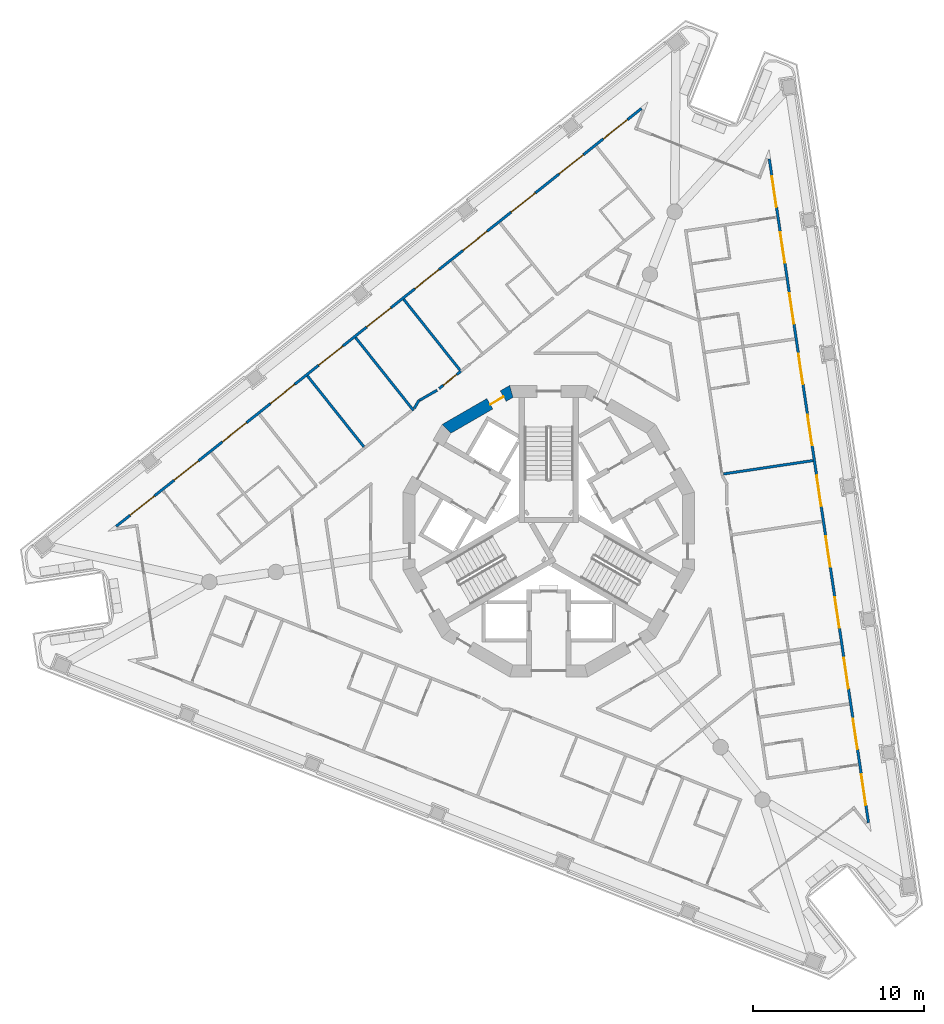
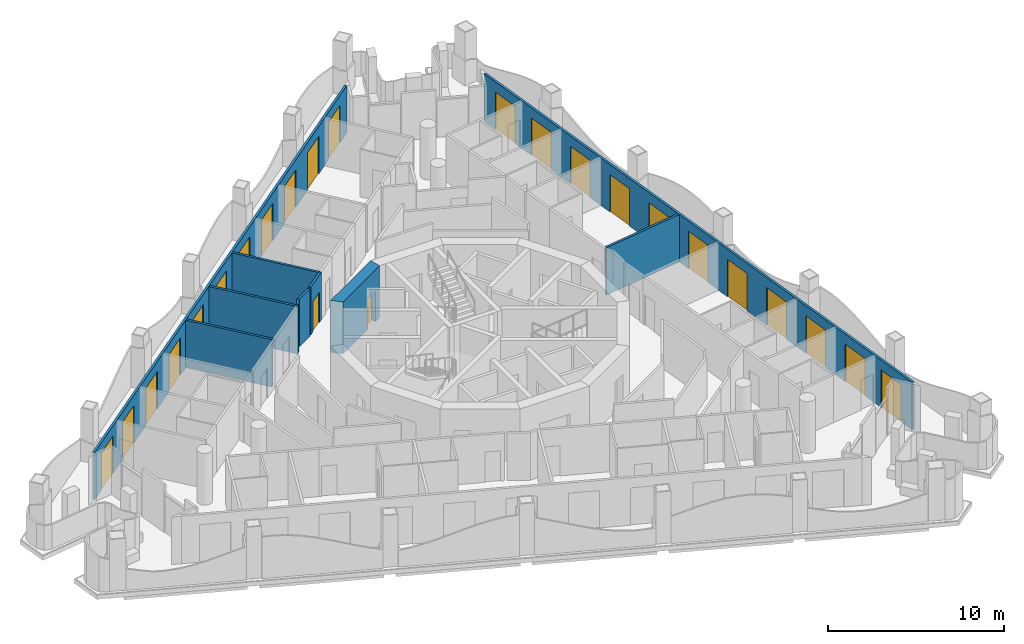
# One storey, part 7 of 16: 24 doors, 10 walls, 24 openings.
"""IFC4 building model written with IfcOpenShell, lengths in metres."""

import ifcopenshell
import ifcopenshell.guid

model = None  # the IFC model being written
_history = None  # IfcOwnerHistory: only IFC2X3 demands one
_inside = {}  # id of a spatial element -> (the spatial element, [elements in it])
_under = {}  # id of a project, library or spatial element -> (it, [spatial elements below it])
_declared = {}  # id of a project -> (the project, [libraries it declares])
_typed = {}  # id of a type object -> (the type object, [elements of that type])
_made_of = {}  # id of a material, layer set ... -> (it, [elements and type objects made of it])


def new_model(schema):
    """Start an empty IFC model of exactly this schema.

    Asked for "IFC4X3", IfcOpenShell would pick the latest addendum, in which some entities
    have other attributes; the version numbers below select the first issue.
    IFC2X3 requires an IfcOwnerHistory on every rooted entity: one is made here for all.
    """
    global model, _history
    if schema == "IFC4X3":
        model = ifcopenshell.file(schema_version=(4, 3, 0, 0))
    else:
        model = ifcopenshell.file(schema=schema)
    _inside.clear()
    _under.clear()
    _declared.clear()
    _typed.clear()
    _made_of.clear()
    _history = None
    if model.schema == "IFC2X3":
        org = make("IfcOrganization", Name="unknown")
        user = make(
            "IfcPersonAndOrganization",
            ThePerson=make("IfcPerson", FamilyName="unknown"),
            TheOrganization=org,
        )
        app = make(
            "IfcApplication",
            ApplicationDeveloper=org,
            Version="unknown",
            ApplicationFullName="unknown",
            ApplicationIdentifier="unknown",
        )
        _history = make(
            "IfcOwnerHistory",
            OwningUser=user,
            OwningApplication=app,
            ChangeAction="ADDED",
            CreationDate=0,
        )
    return model


def make(cls, **values):
    """One entity of the class cls with the attributes given. An attribute that is None is left unset."""
    return model.create_entity(
        cls, **{name: value for name, value in values.items() if value is not None}
    )


def rooted(cls, **values):
    """An entity with a GlobalId (a new one), such as an element, a storey or a relation."""
    return make(cls, GlobalId=ifcopenshell.guid.new(), OwnerHistory=_history, **values)


def si_unit(unit_type, name, prefix=None):
    """IfcSIUnit, for example si_unit("LENGTHUNIT", "METRE", prefix="MILLI")."""
    return make("IfcSIUnit", UnitType=unit_type, Prefix=prefix, Name=name)


def assignment(units):
    """IfcUnitAssignment: the units of a project."""
    return None if units is None else make("IfcUnitAssignment", Units=units)


def point(xyz):
    """IfcCartesianPoint."""
    return None if xyz is None else make("IfcCartesianPoint", Coordinates=xyz)


def direction(xyz):
    """IfcDirection."""
    return None if xyz is None else make("IfcDirection", DirectionRatios=xyz)


def frame(location, z_axis=None, x_axis=None):
    """IfcAxis2Placement3D, a coordinate frame: its origin and axes. An axis left out is left unset."""
    return make(
        "IfcAxis2Placement3D",
        Location=point(location),
        Axis=direction(z_axis),
        RefDirection=direction(x_axis),
    )


def frame_2d(location, x_axis=None):
    """IfcAxis2Placement2D, a coordinate frame in the plane: its origin and x axis."""
    return make(
        "IfcAxis2Placement2D", Location=point(location), RefDirection=direction(x_axis)
    )


def origin():
    """The frame at (0, 0, 0) with its axes left unset."""
    return frame((0.0, 0.0, 0.0))


def place(relative_to, where):
    """IfcLocalPlacement: puts the frame where relative to a parent placement (None: the world)."""
    return make(
        "IfcLocalPlacement", PlacementRelTo=relative_to, RelativePlacement=where
    )


def context(
    kind, dimensions, precision=None, world=None, true_north=None, identifier=None
):
    """IfcGeometricRepresentationContext, for example the 3D "Model" context."""
    return make(
        "IfcGeometricRepresentationContext",
        ContextIdentifier=identifier,
        ContextType=kind,
        CoordinateSpaceDimension=dimensions,
        Precision=precision,
        WorldCoordinateSystem=world,
        TrueNorth=true_north,
    )


def subcontext(parent, identifier, kind, view, scale=None):
    """IfcGeometricRepresentationSubContext, for example "Body" below "Model"."""
    return make(
        "IfcGeometricRepresentationSubContext",
        ContextIdentifier=identifier,
        ContextType=kind,
        ParentContext=parent,
        TargetScale=scale,
        TargetView=view,
    )


def project(units=None, contexts=None):
    """IfcProject with its units and contexts."""
    return rooted(
        "IfcProject",
        Name="project",
        RepresentationContexts=contexts,
        UnitsInContext=assignment(units),
    )


def spatial(cls, under=None, at=None, **own):
    """A site, building, storey or space (cls), placed at a placement, below another one or the project."""
    s = rooted(cls, ObjectPlacement=at, **own)
    if under is not None:
        _under.setdefault(under.id(), (under, []))[1].append(s)
    return s


def polyline(points):
    """IfcPolyline through the points."""
    return make("IfcPolyline", Points=[point(p) for p in points])


def profile(cls, at=None, kind="AREA", **sizes):
    """A parametric profile (cls). Its sizes go by their IFC names, for example OverallWidth=200.0."""
    return make(cls, ProfileType=kind, Position=at, **sizes)


def rectangle(**sizes):
    """IfcRectangleProfileDef."""
    return profile("IfcRectangleProfileDef", **sizes)


def outline(outer, holes=None, kind="AREA"):
    """IfcArbitraryClosedProfileDef: a profile drawn as a closed curve; with holes, ...WithVoids."""
    if holes is None:
        return make("IfcArbitraryClosedProfileDef", ProfileType=kind, OuterCurve=outer)
    return make(
        "IfcArbitraryProfileDefWithVoids",
        ProfileType=kind,
        OuterCurve=outer,
        InnerCurves=holes,
    )


def extrude(swept, where, along, depth):
    """IfcExtrudedAreaSolid: the profile swept, set in the frame where, extruded along a direction by depth."""
    return make(
        "IfcExtrudedAreaSolid",
        SweptArea=swept,
        Position=where,
        ExtrudedDirection=direction(along),
        Depth=depth,
    )


def shape(context_of_items, identifier, shape_type, items):
    """IfcShapeRepresentation: the items that make up one representation, for example the "Body"."""
    return make(
        "IfcShapeRepresentation",
        ContextOfItems=context_of_items,
        RepresentationIdentifier=identifier,
        RepresentationType=shape_type,
        Items=items,
    )


def material(Name=None, Category=None):
    """IfcMaterial."""
    return make("IfcMaterial", Name=Name, Category=Category)


def layer(
    of_material, thickness, ventilated=None, Name=None, Category=None, Priority=None
):
    """IfcMaterialLayer: one layer of a wall or slab, of a material (None: an air gap)."""
    return make(
        "IfcMaterialLayer",
        Material=of_material,
        LayerThickness=thickness,
        IsVentilated=ventilated,
        Name=Name,
        Category=Category,
        Priority=Priority,
    )


def layer_set(layers, Name=None):
    """IfcMaterialLayerSet."""
    return make("IfcMaterialLayerSet", MaterialLayers=layers, LayerSetName=Name)


def made_of(thing, what):
    """Note that an element or type object is made of a material, layer set ...; save() writes the relation."""
    if what is not None:
        _made_of.setdefault(what.id(), (what, []))[1].append(thing)
    return thing


def type_object(cls, material=None, **own):
    """A type object (cls), such as IfcWallType, which elements share."""
    return made_of(rooted(cls, **own), material)


def element(
    cls,
    number,
    at=None,
    inside=None,
    cuts=None,
    type_object=None,
    material=None,
    context=None,
    identifier="Body",
    shape_type=None,
    held_by="IfcProductDefinitionShape",
    body=None,
    shapes=None,
    **own,
):
    """One element of the class cls, such as IfcWall. Its Tag is "e" and its number.

    at: its placement. inside: the storey or other place that contains it. cuts: it is an
    opening in that element (IfcRelVoidsElement). A single representation is given by context,
    identifier, shape_type and body (its items); several are given by shapes. held_by: the class
    of the entity that holds the representations. save() writes the other relations.
    """
    e = rooted(cls, Tag="e%d" % number, ObjectPlacement=at, **own)
    if body is not None:
        shapes = [shape(context, identifier, shape_type, body)]
    if shapes is not None:
        e.Representation = make(held_by, Representations=shapes)
    if inside is not None:
        _inside.setdefault(inside.id(), (inside, []))[1].append(e)
    if cuts is not None:
        rooted(
            "IfcRelVoidsElement", RelatingBuildingElement=cuts, RelatedOpeningElement=e
        )
    if type_object is not None:
        _typed.setdefault(type_object.id(), (type_object, []))[1].append(e)
    return made_of(e, material)


def fill(opening, filler):
    """IfcRelFillsElement: the door or window that sits in an opening."""
    return rooted(
        "IfcRelFillsElement",
        RelatingOpeningElement=opening,
        RelatedBuildingElement=filler,
    )


def aggregate(whole, parts):
    """IfcRelAggregates: a whole, such as a stair, and the parts it consists of."""
    return rooted("IfcRelAggregates", RelatingObject=whole, RelatedObjects=parts)


def save(model, path):
    """Write the relations noted so far, then the file.

    IfcRelAggregates (storeys below a building ...), IfcRelContainedInSpatialStructure (elements
    in a storey), IfcRelDefinesByType, IfcRelAssociatesMaterial and IfcRelDeclares: one each for
    every whole, place, type object, material and project.
    """
    for whole, parts in _under.values():
        aggregate(whole, parts)
    for where, things in _inside.values():
        rooted(
            "IfcRelContainedInSpatialStructure",
            RelatedElements=things,
            RelatingStructure=where,
        )
    for kind, things in _typed.values():
        rooted("IfcRelDefinesByType", RelatedObjects=things, RelatingType=kind)
    for what, things in _made_of.values():
        rooted("IfcRelAssociatesMaterial", RelatedObjects=things, RelatingMaterial=what)
    for by, libraries in _declared.values():
        rooted("IfcRelDeclares", RelatingContext=by, RelatedDefinitions=libraries)
    model.write(path)


model = new_model("IFC4")

# Units and contexts
model_context = context("Model", 3, precision=1e-05, world=origin(), true_north=direction((0.0, 1.0)))
body_context = subcontext(model_context, "Body", "Model", "MODEL_VIEW")
ifc_project = project(units=[si_unit("LENGTHUNIT", "METRE"), si_unit("AREAUNIT", "SQUARE_METRE"), si_unit("VOLUMEUNIT", "CUBIC_METRE"), si_unit("PLANEANGLEUNIT", "RADIAN"), si_unit("MASSUNIT", "GRAM", prefix="KILO")], contexts=[model_context])

# Site, building, storey
site_placement = place(None, origin())
site = spatial("IfcSite", under=ifc_project, at=site_placement, CompositionType="ELEMENT")
building_placement = place(site_placement, origin())
building = spatial("IfcBuilding", under=site, at=building_placement, Name="Trine Commons Tower", CompositionType="ELEMENT")
storey_placement = place(building_placement, frame((0.0, 0.0, 201.60009765625)))
storey = spatial("IfcBuildingStorey", under=building, at=storey_placement, Name="L52", CompositionType="ELEMENT", Elevation=201.60009765625)

# Wall, openings, doors
ifc_material_1 = material(Name="Aluminium-framed insulated wall panel", Category="aluminium")
ifc_layer_1 = layer(ifc_material_1, 0.14990234375)
ifc_layer_set_1 = layer_set([ifc_layer_1], Name="Aluminium-framed insulated wall panel")
wall_type_1 = type_object("IfcWallType", Name="Glazed frame wall 150, EI 60", PredefinedType="SOLIDWALL", material=ifc_layer_set_1)
wall_1_placement = place(storey_placement, frame((54.650634765625, 62.685546875, 0.0), z_axis=(0.0, 0.0, 1.0), x_axis=(0.782609620341, 0.622512796776, 0.0)))
wall_1 = element("IfcWall", 1, at=wall_1_placement, inside=storey, type_object=wall_type_1, Name="Glazed frame wall F1", PredefinedType="SOLIDWALL", context=body_context, shape_type="SweptSolid", body=[
    extrude(outline(polyline([(0.1494140625, 0.074951171875), (0.1494140625, -0.074951171875), (39.296875, -0.074951171875), (39.296875, 0.074951171875), (0.1494140625, 0.074951171875)])), origin(), (0.0, 0.0, 1.0), 3.2998046875),
])
opening_1_placement = place(wall_1_placement, frame((1.193115234375, 0.0, 0.0)))
opening_1 = element("IfcOpeningElement", 2, at=opening_1_placement, cuts=wall_1, Name="Opening BD-6F1-01", PredefinedType="OPENING", context=body_context, shape_type="SweptSolid", body=[
    extrude(rectangle(XDim=1.800048828125, YDim=2.60009765625, at=frame_2d((0.89990234375, 1.300048828125))), frame((0.0, 0.0849609375, 0.0), z_axis=(0.0, -1.0, 0.0), x_axis=(1.0, 0.0, 0.0)), (0.0, 0.0, 1.0), 0.169921875),
])
opening_2_placement = place(wall_1_placement, frame((4.47900390625, 0.0, 0.0)))
opening_2 = element("IfcOpeningElement", 3, at=opening_2_placement, cuts=wall_1, Name="Opening BD-6F1-02", PredefinedType="OPENING", context=body_context, shape_type="SweptSolid", body=[
    extrude(rectangle(XDim=1.800048828125, YDim=2.60009765625, at=frame_2d((0.89990234375, 1.300048828125))), frame((0.0, 0.0849609375, 0.0), z_axis=(0.0, -1.0, 0.0), x_axis=(1.0, 0.0, 0.0)), (0.0, 0.0, 1.0), 0.169921875),
])
opening_3_placement = place(wall_1_placement, frame((8.06494140625, 0.0, 0.0)))
opening_3 = element("IfcOpeningElement", 4, at=opening_3_placement, cuts=wall_1, Name="Opening BD-6F1-03", PredefinedType="OPENING", context=body_context, shape_type="SweptSolid", body=[
    extrude(rectangle(XDim=1.800048828125, YDim=2.60009765625, at=frame_2d((0.89990234375, 1.300048828125))), frame((0.0, 0.0849609375, 0.0), z_axis=(0.0, -1.0, 0.0), x_axis=(1.0, 0.0, 0.0)), (0.0, 0.0, 1.0), 0.169921875),
])
opening_4_placement = place(wall_1_placement, frame((11.65087890625, 0.0, 0.0)))
opening_4 = element("IfcOpeningElement", 5, at=opening_4_placement, cuts=wall_1, Name="Opening BD-6F1-04", PredefinedType="OPENING", context=body_context, shape_type="SweptSolid", body=[
    extrude(rectangle(XDim=1.800048828125, YDim=2.60009765625, at=frame_2d((0.89990234375, 1.300048828125))), frame((0.0, 0.0849609375, 0.0), z_axis=(0.0, -1.0, 0.0), x_axis=(1.0, 0.0, 0.0)), (0.0, 0.0, 1.0), 0.169921875),
])
opening_5_placement = place(wall_1_placement, frame((15.237060546875, 0.0, 0.0)))
opening_5 = element("IfcOpeningElement", 6, at=opening_5_placement, cuts=wall_1, Name="Opening BD-6F1-05", PredefinedType="OPENING", context=body_context, shape_type="SweptSolid", body=[
    extrude(rectangle(XDim=1.800048828125, YDim=2.60009765625, at=frame_2d((0.89990234375, 1.300048828125))), frame((0.0, 0.0849609375, 0.0), z_axis=(0.0, -1.0, 0.0), x_axis=(1.0, 0.0, 0.0)), (0.0, 0.0, 1.0), 0.169921875),
])
opening_6_placement = place(wall_1_placement, frame((18.822998046875, 0.0, 0.0)))
opening_6 = element("IfcOpeningElement", 7, at=opening_6_placement, cuts=wall_1, Name="Opening BD-6F1-06", PredefinedType="OPENING", context=body_context, shape_type="SweptSolid", body=[
    extrude(rectangle(XDim=1.800048828125, YDim=2.60009765625, at=frame_2d((0.89990234375, 1.300048828125))), frame((0.0, 0.0849609375, 0.0), z_axis=(0.0, -1.0, 0.0), x_axis=(1.0, 0.0, 0.0)), (0.0, 0.0, 1.0), 0.169921875),
])
opening_7_placement = place(wall_1_placement, frame((22.408935546875, 0.0, 0.0)))
opening_7 = element("IfcOpeningElement", 8, at=opening_7_placement, cuts=wall_1, Name="Opening BD-6F1-07", PredefinedType="OPENING", context=body_context, shape_type="SweptSolid", body=[
    extrude(rectangle(XDim=1.800048828125, YDim=2.60009765625, at=frame_2d((0.89990234375, 1.300048828125))), frame((0.0, 0.0849609375, 0.0), z_axis=(0.0, -1.0, 0.0), x_axis=(1.0, 0.0, 0.0)), (0.0, 0.0, 1.0), 0.169921875),
])
opening_8_placement = place(wall_1_placement, frame((25.9951171875, 0.0, 0.0)))
opening_8 = element("IfcOpeningElement", 9, at=opening_8_placement, cuts=wall_1, Name="Opening BD-6F1-08", PredefinedType="OPENING", context=body_context, shape_type="SweptSolid", body=[
    extrude(rectangle(XDim=1.800048828125, YDim=2.60009765625, at=frame_2d((0.89990234375, 1.300048828125))), frame((0.0, 0.0849609375, 0.0), z_axis=(0.0, -1.0, 0.0), x_axis=(1.0, 0.0, 0.0)), (0.0, 0.0, 1.0), 0.169921875),
])
opening_9_placement = place(wall_1_placement, frame((29.5810546875, 0.0, 0.0)))
opening_9 = element("IfcOpeningElement", 10, at=opening_9_placement, cuts=wall_1, Name="Opening BD-6F1-09", PredefinedType="OPENING", context=body_context, shape_type="SweptSolid", body=[
    extrude(rectangle(XDim=1.800048828125, YDim=2.60009765625, at=frame_2d((0.89990234375, 1.300048828125))), frame((0.0, 0.0849609375, 0.0), z_axis=(0.0, -1.0, 0.0), x_axis=(1.0, 0.0, 0.0)), (0.0, 0.0, 1.0), 0.169921875),
])
opening_10_placement = place(wall_1_placement, frame((33.1669921875, 0.0, 0.0)))
opening_10 = element("IfcOpeningElement", 11, at=opening_10_placement, cuts=wall_1, Name="Opening BD-6F1-10", PredefinedType="OPENING", context=body_context, shape_type="SweptSolid", body=[
    extrude(rectangle(XDim=1.800048828125, YDim=2.60009765625, at=frame_2d((0.89990234375, 1.300048828125))), frame((0.0, 0.0849609375, 0.0), z_axis=(0.0, -1.0, 0.0), x_axis=(1.0, 0.0, 0.0)), (0.0, 0.0, 1.0), 0.169921875),
])
opening_11_placement = place(wall_1_placement, frame((36.452880859375, 0.0, 0.0)))
opening_11 = element("IfcOpeningElement", 12, at=opening_11_placement, cuts=wall_1, Name="Opening BD-6F1-11", PredefinedType="OPENING", context=body_context, shape_type="SweptSolid", body=[
    extrude(rectangle(XDim=1.800048828125, YDim=2.60009765625, at=frame_2d((0.89990234375, 1.300048828125))), frame((0.0, 0.0849609375, 0.0), z_axis=(0.0, -1.0, 0.0), x_axis=(1.0, 0.0, 0.0)), (0.0, 0.0, 1.0), 0.169921875),
])
ifc_material_2 = material(Name="Anodised aluminium frame with double glazing", Category="aluminium")
door_type_1 = type_object("IfcDoorType", Name="Sliding loggia door 1800x2600", OperationType="SLIDING_TO_LEFT", PredefinedType="DOOR", material=ifc_material_2)
door_1_placement = place(opening_1_placement, origin())
door_1 = element("IfcDoor", 13, at=door_1_placement, inside=storey, type_object=door_type_1, Name="Loggia door F1 1", OperationType="SLIDING_TO_LEFT", OverallHeight=2.60009765625, OverallWidth=1.800048828125, PredefinedType="DOOR", context=body_context, shape_type="SweptSolid", body=[
    extrude(rectangle(XDim=1.800048828125, YDim=2.60009765625, at=frame_2d((0.89990234375, 1.300048828125))), frame((0.0, 0.02490234375, 0.0), z_axis=(0.0, -1.0, 0.0), x_axis=(1.0, 0.0, 0.0)), (0.0, 0.0, 1.0), 0.050048828125),
])
fill(opening_1, door_1)
door_2_placement = place(opening_2_placement, origin())
door_2 = element("IfcDoor", 14, at=door_2_placement, inside=storey, type_object=door_type_1, Name="Loggia door F1 2", OperationType="SLIDING_TO_LEFT", OverallHeight=2.60009765625, OverallWidth=1.800048828125, PredefinedType="DOOR", context=body_context, shape_type="SweptSolid", body=[
    extrude(rectangle(XDim=1.800048828125, YDim=2.60009765625, at=frame_2d((0.89990234375, 1.300048828125))), frame((0.0, 0.02490234375, 0.0), z_axis=(0.0, -1.0, 0.0), x_axis=(1.0, 0.0, 0.0)), (0.0, 0.0, 1.0), 0.050048828125),
])
fill(opening_2, door_2)
door_3_placement = place(opening_3_placement, origin())
door_3 = element("IfcDoor", 15, at=door_3_placement, inside=storey, type_object=door_type_1, Name="Loggia door F1 3", OperationType="SLIDING_TO_LEFT", OverallHeight=2.60009765625, OverallWidth=1.800048828125, PredefinedType="DOOR", context=body_context, shape_type="SweptSolid", body=[
    extrude(rectangle(XDim=1.800048828125, YDim=2.60009765625, at=frame_2d((0.89990234375, 1.300048828125))), frame((0.0, 0.02490234375, 0.0), z_axis=(0.0, -1.0, 0.0), x_axis=(1.0, 0.0, 0.0)), (0.0, 0.0, 1.0), 0.050048828125),
])
fill(opening_3, door_3)
door_4_placement = place(opening_4_placement, origin())
door_4 = element("IfcDoor", 16, at=door_4_placement, inside=storey, type_object=door_type_1, Name="Loggia door F1 4", OperationType="SLIDING_TO_LEFT", OverallHeight=2.60009765625, OverallWidth=1.800048828125, PredefinedType="DOOR", context=body_context, shape_type="SweptSolid", body=[
    extrude(rectangle(XDim=1.800048828125, YDim=2.60009765625, at=frame_2d((0.89990234375, 1.300048828125))), frame((0.0, 0.02490234375, 0.0), z_axis=(0.0, -1.0, 0.0), x_axis=(1.0, 0.0, 0.0)), (0.0, 0.0, 1.0), 0.050048828125),
])
fill(opening_4, door_4)
door_5_placement = place(opening_5_placement, origin())
door_5 = element("IfcDoor", 17, at=door_5_placement, inside=storey, type_object=door_type_1, Name="Loggia door F1 5", OperationType="SLIDING_TO_LEFT", OverallHeight=2.60009765625, OverallWidth=1.800048828125, PredefinedType="DOOR", context=body_context, shape_type="SweptSolid", body=[
    extrude(rectangle(XDim=1.800048828125, YDim=2.60009765625, at=frame_2d((0.89990234375, 1.300048828125))), frame((0.0, 0.02490234375, 0.0), z_axis=(0.0, -1.0, 0.0), x_axis=(1.0, 0.0, 0.0)), (0.0, 0.0, 1.0), 0.050048828125),
])
fill(opening_5, door_5)
door_6_placement = place(opening_6_placement, origin())
door_6 = element("IfcDoor", 18, at=door_6_placement, inside=storey, type_object=door_type_1, Name="Loggia door F1 6", OperationType="SLIDING_TO_LEFT", OverallHeight=2.60009765625, OverallWidth=1.800048828125, PredefinedType="DOOR", context=body_context, shape_type="SweptSolid", body=[
    extrude(rectangle(XDim=1.800048828125, YDim=2.60009765625, at=frame_2d((0.89990234375, 1.300048828125))), frame((0.0, 0.02490234375, 0.0), z_axis=(0.0, -1.0, 0.0), x_axis=(1.0, 0.0, 0.0)), (0.0, 0.0, 1.0), 0.050048828125),
])
fill(opening_6, door_6)
door_7_placement = place(opening_7_placement, origin())
door_7 = element("IfcDoor", 19, at=door_7_placement, inside=storey, type_object=door_type_1, Name="Loggia door F1 7", OperationType="SLIDING_TO_LEFT", OverallHeight=2.60009765625, OverallWidth=1.800048828125, PredefinedType="DOOR", context=body_context, shape_type="SweptSolid", body=[
    extrude(rectangle(XDim=1.800048828125, YDim=2.60009765625, at=frame_2d((0.89990234375, 1.300048828125))), frame((0.0, 0.02490234375, 0.0), z_axis=(0.0, -1.0, 0.0), x_axis=(1.0, 0.0, 0.0)), (0.0, 0.0, 1.0), 0.050048828125),
])
fill(opening_7, door_7)
door_8_placement = place(opening_8_placement, origin())
door_8 = element("IfcDoor", 20, at=door_8_placement, inside=storey, type_object=door_type_1, Name="Loggia door F1 8", OperationType="SLIDING_TO_LEFT", OverallHeight=2.60009765625, OverallWidth=1.800048828125, PredefinedType="DOOR", context=body_context, shape_type="SweptSolid", body=[
    extrude(rectangle(XDim=1.800048828125, YDim=2.60009765625, at=frame_2d((0.89990234375, 1.300048828125))), frame((0.0, 0.02490234375, 0.0), z_axis=(0.0, -1.0, 0.0), x_axis=(1.0, 0.0, 0.0)), (0.0, 0.0, 1.0), 0.050048828125),
])
fill(opening_8, door_8)
door_9_placement = place(opening_9_placement, origin())
door_9 = element("IfcDoor", 21, at=door_9_placement, inside=storey, type_object=door_type_1, Name="Loggia door F1 9", OperationType="SLIDING_TO_LEFT", OverallHeight=2.60009765625, OverallWidth=1.800048828125, PredefinedType="DOOR", context=body_context, shape_type="SweptSolid", body=[
    extrude(rectangle(XDim=1.800048828125, YDim=2.60009765625, at=frame_2d((0.89990234375, 1.300048828125))), frame((0.0, 0.02490234375, 0.0), z_axis=(0.0, -1.0, 0.0), x_axis=(1.0, 0.0, 0.0)), (0.0, 0.0, 1.0), 0.050048828125),
])
fill(opening_9, door_9)
door_10_placement = place(opening_10_placement, origin())
door_10 = element("IfcDoor", 22, at=door_10_placement, inside=storey, type_object=door_type_1, Name="Loggia door F1 10", OperationType="SLIDING_TO_LEFT", OverallHeight=2.60009765625, OverallWidth=1.800048828125, PredefinedType="DOOR", context=body_context, shape_type="SweptSolid", body=[
    extrude(rectangle(XDim=1.800048828125, YDim=2.60009765625, at=frame_2d((0.89990234375, 1.300048828125))), frame((0.0, 0.02490234375, 0.0), z_axis=(0.0, -1.0, 0.0), x_axis=(1.0, 0.0, 0.0)), (0.0, 0.0, 1.0), 0.050048828125),
])
fill(opening_10, door_10)
door_11_placement = place(opening_11_placement, origin())
door_11 = element("IfcDoor", 23, at=door_11_placement, inside=storey, type_object=door_type_1, Name="Loggia door F1 11", OperationType="SLIDING_TO_LEFT", OverallHeight=2.60009765625, OverallWidth=1.800048828125, PredefinedType="DOOR", context=body_context, shape_type="SweptSolid", body=[
    extrude(rectangle(XDim=1.800048828125, YDim=2.60009765625, at=frame_2d((0.89990234375, 1.300048828125))), frame((0.0, 0.02490234375, 0.0), z_axis=(0.0, -1.0, 0.0), x_axis=(1.0, 0.0, 0.0)), (0.0, 0.0, 1.0), 0.050048828125),
])
fill(opening_11, door_11)

wall_2_placement = place(storey_placement, frame((92.835205078125, 84.3603515625, 0.0), z_axis=(0.0, 0.0, 1.0), x_axis=(0.147810490781, -0.989015702006, 0.0)))
wall_2 = element("IfcWall", 24, at=wall_2_placement, inside=storey, type_object=wall_type_1, Name="Glazed frame wall F2", PredefinedType="SOLIDWALL", context=body_context, shape_type="SweptSolid", body=[
    extrude(outline(polyline([(0.1494140625, 0.074951171875), (0.1494140625, -0.074951171875), (39.296875, -0.074951171875), (39.296875, 0.074951171875), (0.1494140625, 0.074951171875)])), origin(), (0.0, 0.0, 1.0), 3.2998046875),
])
opening_12_placement = place(wall_2_placement, frame((1.193115234375, 0.0, 0.0)))
opening_12 = element("IfcOpeningElement", 25, at=opening_12_placement, cuts=wall_2, Name="Opening BD-6F2-01", PredefinedType="OPENING", context=body_context, shape_type="SweptSolid", body=[
    extrude(rectangle(XDim=1.800048828125, YDim=2.60009765625, at=frame_2d((0.89990234375, 1.300048828125))), frame((0.0, 0.0849609375, 0.0), z_axis=(0.0, -1.0, 0.0), x_axis=(1.0, 0.0, 0.0)), (0.0, 0.0, 1.0), 0.169921875),
])
opening_13_placement = place(wall_2_placement, frame((4.47900390625, 0.0, 0.0)))
opening_13 = element("IfcOpeningElement", 26, at=opening_13_placement, cuts=wall_2, Name="Opening BD-6F2-02", PredefinedType="OPENING", context=body_context, shape_type="SweptSolid", body=[
    extrude(rectangle(XDim=1.800048828125, YDim=2.60009765625, at=frame_2d((0.89990234375, 1.300048828125))), frame((0.0, 0.0849609375, 0.0), z_axis=(0.0, -1.0, 0.0), x_axis=(1.0, 0.0, 0.0)), (0.0, 0.0, 1.0), 0.169921875),
])
opening_14_placement = place(wall_2_placement, frame((8.06494140625, 0.0, 0.0)))
opening_14 = element("IfcOpeningElement", 27, at=opening_14_placement, cuts=wall_2, Name="Opening BD-6F2-03", PredefinedType="OPENING", context=body_context, shape_type="SweptSolid", body=[
    extrude(rectangle(XDim=1.800048828125, YDim=2.60009765625, at=frame_2d((0.89990234375, 1.300048828125))), frame((0.0, 0.0849609375, 0.0), z_axis=(0.0, -1.0, 0.0), x_axis=(1.0, 0.0, 0.0)), (0.0, 0.0, 1.0), 0.169921875),
])
opening_15_placement = place(wall_2_placement, frame((11.65087890625, 0.0, 0.0)))
opening_15 = element("IfcOpeningElement", 28, at=opening_15_placement, cuts=wall_2, Name="Opening BD-6F2-04", PredefinedType="OPENING", context=body_context, shape_type="SweptSolid", body=[
    extrude(rectangle(XDim=1.800048828125, YDim=2.60009765625, at=frame_2d((0.89990234375, 1.300048828125))), frame((0.0, 0.0849609375, 0.0), z_axis=(0.0, -1.0, 0.0), x_axis=(1.0, 0.0, 0.0)), (0.0, 0.0, 1.0), 0.169921875),
])
opening_16_placement = place(wall_2_placement, frame((15.237060546875, 0.0, 0.0)))
opening_16 = element("IfcOpeningElement", 29, at=opening_16_placement, cuts=wall_2, Name="Opening BD-6F2-05", PredefinedType="OPENING", context=body_context, shape_type="SweptSolid", body=[
    extrude(rectangle(XDim=1.800048828125, YDim=2.60009765625, at=frame_2d((0.89990234375, 1.300048828125))), frame((0.0, 0.0849609375, 0.0), z_axis=(0.0, -1.0, 0.0), x_axis=(1.0, 0.0, 0.0)), (0.0, 0.0, 1.0), 0.169921875),
])
opening_17_placement = place(wall_2_placement, frame((18.822998046875, 0.0, 0.0)))
opening_17 = element("IfcOpeningElement", 30, at=opening_17_placement, cuts=wall_2, Name="Opening BD-6F2-06", PredefinedType="OPENING", context=body_context, shape_type="SweptSolid", body=[
    extrude(rectangle(XDim=1.800048828125, YDim=2.60009765625, at=frame_2d((0.89990234375, 1.300048828125))), frame((0.0, 0.0849609375, 0.0), z_axis=(0.0, -1.0, 0.0), x_axis=(1.0, 0.0, 0.0)), (0.0, 0.0, 1.0), 0.169921875),
])
opening_18_placement = place(wall_2_placement, frame((22.408935546875, 0.0, 0.0)))
opening_18 = element("IfcOpeningElement", 31, at=opening_18_placement, cuts=wall_2, Name="Opening BD-6F2-07", PredefinedType="OPENING", context=body_context, shape_type="SweptSolid", body=[
    extrude(rectangle(XDim=1.800048828125, YDim=2.60009765625, at=frame_2d((0.89990234375, 1.300048828125))), frame((0.0, 0.0849609375, 0.0), z_axis=(0.0, -1.0, 0.0), x_axis=(1.0, 0.0, 0.0)), (0.0, 0.0, 1.0), 0.169921875),
])
opening_19_placement = place(wall_2_placement, frame((25.9951171875, 0.0, 0.0)))
opening_19 = element("IfcOpeningElement", 32, at=opening_19_placement, cuts=wall_2, Name="Opening BD-6F2-08", PredefinedType="OPENING", context=body_context, shape_type="SweptSolid", body=[
    extrude(rectangle(XDim=1.800048828125, YDim=2.60009765625, at=frame_2d((0.89990234375, 1.300048828125))), frame((0.0, 0.0849609375, 0.0), z_axis=(0.0, -1.0, 0.0), x_axis=(1.0, 0.0, 0.0)), (0.0, 0.0, 1.0), 0.169921875),
])
opening_20_placement = place(wall_2_placement, frame((29.5810546875, 0.0, 0.0)))
opening_20 = element("IfcOpeningElement", 33, at=opening_20_placement, cuts=wall_2, Name="Opening BD-6F2-09", PredefinedType="OPENING", context=body_context, shape_type="SweptSolid", body=[
    extrude(rectangle(XDim=1.800048828125, YDim=2.60009765625, at=frame_2d((0.89990234375, 1.300048828125))), frame((0.0, 0.0849609375, 0.0), z_axis=(0.0, -1.0, 0.0), x_axis=(1.0, 0.0, 0.0)), (0.0, 0.0, 1.0), 0.169921875),
])
opening_21_placement = place(wall_2_placement, frame((33.1669921875, 0.0, 0.0)))
opening_21 = element("IfcOpeningElement", 34, at=opening_21_placement, cuts=wall_2, Name="Opening BD-6F2-10", PredefinedType="OPENING", context=body_context, shape_type="SweptSolid", body=[
    extrude(rectangle(XDim=1.800048828125, YDim=2.60009765625, at=frame_2d((0.89990234375, 1.300048828125))), frame((0.0, 0.0849609375, 0.0), z_axis=(0.0, -1.0, 0.0), x_axis=(1.0, 0.0, 0.0)), (0.0, 0.0, 1.0), 0.169921875),
])
opening_22_placement = place(wall_2_placement, frame((36.452880859375, 0.0, 0.0)))
opening_22 = element("IfcOpeningElement", 35, at=opening_22_placement, cuts=wall_2, Name="Opening BD-6F2-11", PredefinedType="OPENING", context=body_context, shape_type="SweptSolid", body=[
    extrude(rectangle(XDim=1.800048828125, YDim=2.60009765625, at=frame_2d((0.89990234375, 1.300048828125))), frame((0.0, 0.0849609375, 0.0), z_axis=(0.0, -1.0, 0.0), x_axis=(1.0, 0.0, 0.0)), (0.0, 0.0, 1.0), 0.169921875),
])
door_12_placement = place(opening_12_placement, origin())
door_12 = element("IfcDoor", 36, at=door_12_placement, inside=storey, type_object=door_type_1, Name="Loggia door F2 1", OperationType="SLIDING_TO_LEFT", OverallHeight=2.60009765625, OverallWidth=1.800048828125, PredefinedType="DOOR", context=body_context, shape_type="SweptSolid", body=[
    extrude(rectangle(XDim=1.800048828125, YDim=2.60009765625, at=frame_2d((0.89990234375, 1.300048828125))), frame((0.0, 0.02490234375, 0.0), z_axis=(0.0, -1.0, 0.0), x_axis=(1.0, 0.0, 0.0)), (0.0, 0.0, 1.0), 0.050048828125),
])
fill(opening_12, door_12)
door_13_placement = place(opening_13_placement, origin())
door_13 = element("IfcDoor", 37, at=door_13_placement, inside=storey, type_object=door_type_1, Name="Loggia door F2 2", OperationType="SLIDING_TO_LEFT", OverallHeight=2.60009765625, OverallWidth=1.800048828125, PredefinedType="DOOR", context=body_context, shape_type="SweptSolid", body=[
    extrude(rectangle(XDim=1.800048828125, YDim=2.60009765625, at=frame_2d((0.89990234375, 1.300048828125))), frame((0.0, 0.02490234375, 0.0), z_axis=(0.0, -1.0, 0.0), x_axis=(1.0, 0.0, 0.0)), (0.0, 0.0, 1.0), 0.050048828125),
])
fill(opening_13, door_13)
door_14_placement = place(opening_14_placement, origin())
door_14 = element("IfcDoor", 38, at=door_14_placement, inside=storey, type_object=door_type_1, Name="Loggia door F2 3", OperationType="SLIDING_TO_LEFT", OverallHeight=2.60009765625, OverallWidth=1.800048828125, PredefinedType="DOOR", context=body_context, shape_type="SweptSolid", body=[
    extrude(rectangle(XDim=1.800048828125, YDim=2.60009765625, at=frame_2d((0.89990234375, 1.300048828125))), frame((0.0, 0.02490234375, 0.0), z_axis=(0.0, -1.0, 0.0), x_axis=(1.0, 0.0, 0.0)), (0.0, 0.0, 1.0), 0.050048828125),
])
fill(opening_14, door_14)
door_15_placement = place(opening_15_placement, origin())
door_15 = element("IfcDoor", 39, at=door_15_placement, inside=storey, type_object=door_type_1, Name="Loggia door F2 4", OperationType="SLIDING_TO_LEFT", OverallHeight=2.60009765625, OverallWidth=1.800048828125, PredefinedType="DOOR", context=body_context, shape_type="SweptSolid", body=[
    extrude(rectangle(XDim=1.800048828125, YDim=2.60009765625, at=frame_2d((0.89990234375, 1.300048828125))), frame((0.0, 0.02490234375, 0.0), z_axis=(0.0, -1.0, 0.0), x_axis=(1.0, 0.0, 0.0)), (0.0, 0.0, 1.0), 0.050048828125),
])
fill(opening_15, door_15)
door_16_placement = place(opening_16_placement, origin())
door_16 = element("IfcDoor", 40, at=door_16_placement, inside=storey, type_object=door_type_1, Name="Loggia door F2 5", OperationType="SLIDING_TO_LEFT", OverallHeight=2.60009765625, OverallWidth=1.800048828125, PredefinedType="DOOR", context=body_context, shape_type="SweptSolid", body=[
    extrude(rectangle(XDim=1.800048828125, YDim=2.60009765625, at=frame_2d((0.89990234375, 1.300048828125))), frame((0.0, 0.02490234375, 0.0), z_axis=(0.0, -1.0, 0.0), x_axis=(1.0, 0.0, 0.0)), (0.0, 0.0, 1.0), 0.050048828125),
])
fill(opening_16, door_16)
door_17_placement = place(opening_17_placement, origin())
door_17 = element("IfcDoor", 41, at=door_17_placement, inside=storey, type_object=door_type_1, Name="Loggia door F2 6", OperationType="SLIDING_TO_LEFT", OverallHeight=2.60009765625, OverallWidth=1.800048828125, PredefinedType="DOOR", context=body_context, shape_type="SweptSolid", body=[
    extrude(rectangle(XDim=1.800048828125, YDim=2.60009765625, at=frame_2d((0.89990234375, 1.300048828125))), frame((0.0, 0.02490234375, 0.0), z_axis=(0.0, -1.0, 0.0), x_axis=(1.0, 0.0, 0.0)), (0.0, 0.0, 1.0), 0.050048828125),
])
fill(opening_17, door_17)
door_18_placement = place(opening_18_placement, origin())
door_18 = element("IfcDoor", 42, at=door_18_placement, inside=storey, type_object=door_type_1, Name="Loggia door F2 7", OperationType="SLIDING_TO_LEFT", OverallHeight=2.60009765625, OverallWidth=1.800048828125, PredefinedType="DOOR", context=body_context, shape_type="SweptSolid", body=[
    extrude(rectangle(XDim=1.800048828125, YDim=2.60009765625, at=frame_2d((0.89990234375, 1.300048828125))), frame((0.0, 0.02490234375, 0.0), z_axis=(0.0, -1.0, 0.0), x_axis=(1.0, 0.0, 0.0)), (0.0, 0.0, 1.0), 0.050048828125),
])
fill(opening_18, door_18)
door_19_placement = place(opening_19_placement, origin())
door_19 = element("IfcDoor", 43, at=door_19_placement, inside=storey, type_object=door_type_1, Name="Loggia door F2 8", OperationType="SLIDING_TO_LEFT", OverallHeight=2.60009765625, OverallWidth=1.800048828125, PredefinedType="DOOR", context=body_context, shape_type="SweptSolid", body=[
    extrude(rectangle(XDim=1.800048828125, YDim=2.60009765625, at=frame_2d((0.89990234375, 1.300048828125))), frame((0.0, 0.02490234375, 0.0), z_axis=(0.0, -1.0, 0.0), x_axis=(1.0, 0.0, 0.0)), (0.0, 0.0, 1.0), 0.050048828125),
])
fill(opening_19, door_19)
door_20_placement = place(opening_20_placement, origin())
door_20 = element("IfcDoor", 44, at=door_20_placement, inside=storey, type_object=door_type_1, Name="Loggia door F2 9", OperationType="SLIDING_TO_LEFT", OverallHeight=2.60009765625, OverallWidth=1.800048828125, PredefinedType="DOOR", context=body_context, shape_type="SweptSolid", body=[
    extrude(rectangle(XDim=1.800048828125, YDim=2.60009765625, at=frame_2d((0.89990234375, 1.300048828125))), frame((0.0, 0.02490234375, 0.0), z_axis=(0.0, -1.0, 0.0), x_axis=(1.0, 0.0, 0.0)), (0.0, 0.0, 1.0), 0.050048828125),
])
fill(opening_20, door_20)
door_21_placement = place(opening_21_placement, origin())
door_21 = element("IfcDoor", 45, at=door_21_placement, inside=storey, type_object=door_type_1, Name="Loggia door F2 10", OperationType="SLIDING_TO_LEFT", OverallHeight=2.60009765625, OverallWidth=1.800048828125, PredefinedType="DOOR", context=body_context, shape_type="SweptSolid", body=[
    extrude(rectangle(XDim=1.800048828125, YDim=2.60009765625, at=frame_2d((0.89990234375, 1.300048828125))), frame((0.0, 0.02490234375, 0.0), z_axis=(0.0, -1.0, 0.0), x_axis=(1.0, 0.0, 0.0)), (0.0, 0.0, 1.0), 0.050048828125),
])
fill(opening_21, door_21)
door_22_placement = place(opening_22_placement, origin())
door_22 = element("IfcDoor", 46, at=door_22_placement, inside=storey, type_object=door_type_1, Name="Loggia door F2 11", OperationType="SLIDING_TO_LEFT", OverallHeight=2.60009765625, OverallWidth=1.800048828125, PredefinedType="DOOR", context=body_context, shape_type="SweptSolid", body=[
    extrude(rectangle(XDim=1.800048828125, YDim=2.60009765625, at=frame_2d((0.89990234375, 1.300048828125))), frame((0.0, 0.02490234375, 0.0), z_axis=(0.0, -1.0, 0.0), x_axis=(1.0, 0.0, 0.0)), (0.0, 0.0, 1.0), 0.050048828125),
])
fill(opening_22, door_22)

# Wall, opening, door
ifc_material_3 = material(Name="Concrete C60/75", Category="concrete")
ifc_layer_2 = layer(ifc_material_3, 0.699951171875)
ifc_layer_set_2 = layer_set([ifc_layer_2], Name="Concrete C60/75")
wall_type_2 = type_object("IfcWallType", Name="RC shear wall 700 mm, C60/75", PredefinedType="SHEAR", material=ifc_layer_set_2)
wall_3_placement = place(storey_placement, frame((77.8974609375, 70.697021484375, 0.0), z_axis=(0.0, 0.0, 1.0), x_axis=(-0.866034756103, -0.499983800959, 0.0)))
wall_3 = element("IfcWall", 47, at=wall_3_placement, inside=storey, type_object=wall_type_2, Name="Core wall CWF-05 L52", PredefinedType="SHEAR", context=body_context, shape_type="SweptSolid", body=[
    extrude(outline(polyline([(0.0, -0.35009765625), (4.55517578125, -0.35009765625), (4.36767578125, 0.35009765625), (0.1875, 0.35009765625), (0.0, -0.35009765625)])), origin(), (0.0, 0.0, 1.0), 3.599853515625),
])
opening_23_placement = place(wall_3_placement, frame((0.641845703125, 0.0, 0.0)))
opening_23 = element("IfcOpeningElement", 48, at=opening_23_placement, cuts=wall_3, Name="Opening K16.13", PredefinedType="OPENING", context=body_context, shape_type="SweptSolid", body=[
    extrude(rectangle(XDim=0.89990234375, YDim=2.10009765625, at=frame_2d((0.449951171875, 1.050048828125))), frame((0.0, 0.35986328125, 0.0), z_axis=(0.0, -1.0, 0.0), x_axis=(1.0, 0.0, 0.0)), (0.0, 0.0, 1.0), 0.719970703125),
])
ifc_material_4 = material(Name="Steel door leaf, fire-rated", Category="steel")
door_type_2 = type_object("IfcDoorType", Name="Core room door, single leaf 900 x 2100, FD30S", OperationType="SINGLE_SWING_LEFT", PredefinedType="DOOR", material=ifc_material_4)
door_23_placement = place(opening_23_placement, origin())
door_23 = element("IfcDoor", 49, at=door_23_placement, inside=storey, type_object=door_type_2, Name="Door to Accessible WC L52", OperationType="SINGLE_SWING_LEFT", OverallHeight=2.10009765625, OverallWidth=0.89990234375, PredefinedType="DOOR", context=body_context, shape_type="SweptSolid", body=[
    extrude(rectangle(XDim=0.89990234375, YDim=2.10009765625, at=frame_2d((0.449951171875, 1.050048828125))), frame((0.0, 0.0751953125, 0.0), z_axis=(0.0, -1.0, 0.0), x_axis=(1.0, 0.0, 0.0)), (0.0, 0.0, 1.0), 0.050048828125),
])
fill(opening_23, door_23)

# Walls
ifc_material_5 = material(Name="Gypsum plasterboard on steel stud", Category="steel")
ifc_layer_3 = layer(ifc_material_5, 0.14990234375)
ifc_layer_set_3 = layer_set([ifc_layer_3], Name="Gypsum plasterboard on steel stud")
wall_type_3 = type_object("IfcWallType", Name="Unit and corridor wall 150 mm, EI 60", PredefinedType="PARTITIONING", material=ifc_layer_set_3)
wall_4_placement = place(storey_placement, frame((65.9228515625, 71.5556640625, 0.0), z_axis=(0.0, 0.0, 1.0), x_axis=(0.622585933561, -0.782551439416, 0.0)))
element("IfcWall", 50, at=wall_4_placement, inside=storey, type_object=wall_type_3, Name="Partition 021", PredefinedType="PARTITIONING", context=body_context, shape_type="SweptSolid", body=[
    extrude(rectangle(XDim=5.28515625, YDim=0.14990234375, at=frame_2d((2.642578125, 0.0))), origin(), (0.0, 0.0, 1.0), 3.2998046875),
])
wall_5_placement = place(storey_placement, frame((68.72998046875, 73.788818359375, 0.0), z_axis=(0.0, 0.0, 1.0), x_axis=(0.622457280045, -0.782653776915, 0.0)))
element("IfcWall", 51, at=wall_5_placement, inside=storey, type_object=wall_type_3, Name="Partition 029", PredefinedType="PARTITIONING", context=body_context, shape_type="SweptSolid", body=[
    extrude(rectangle(XDim=5.4345703125, YDim=0.14990234375, at=frame_2d((2.71728515625, 0.0))), origin(), (0.0, 0.0, 1.0), 3.2998046875),
])
wall_6_placement = place(storey_placement, frame((71.535888671875, 76.020751953125, 0.0), z_axis=(0.0, 0.0, 1.0), x_axis=(0.622565407695, -0.782567769041, 0.0)))
element("IfcWall", 52, at=wall_6_placement, inside=storey, type_object=wall_type_3, Name="Partition 036", PredefinedType="PARTITIONING", context=body_context, shape_type="SweptSolid", body=[
    extrude(rectangle(XDim=5.3603515625, YDim=0.14990234375, at=frame_2d((2.68017578125, 0.0))), origin(), (0.0, 0.0, 1.0), 3.2998046875),
])
wall_7_placement = place(storey_placement, frame((72.152099609375, 69.656005859375, 0.0), z_axis=(0.0, 0.0, 1.0), x_axis=(0.499165076137, 0.866506910973, 0.0)))
element("IfcWall", 53, at=wall_7_placement, inside=storey, type_object=wall_type_3, Name="Partition 037", PredefinedType="PARTITIONING", context=body_context, shape_type="SweptSolid", body=[
    extrude(rectangle(XDim=0.58154296875, YDim=0.14990234375, at=frame_2d((0.290771484375, 0.0))), origin(), (0.0, 0.0, 1.0), 3.2998046875),
])
wall_8_placement = place(storey_placement, frame((72.469970703125, 70.132568359375, 0.0), z_axis=(0.0, 0.0, 1.0), x_axis=(0.865861083349, 0.5002845034, 0.0)))
element("IfcWall", 54, at=wall_8_placement, inside=storey, type_object=wall_type_3, Name="Partition 039", PredefinedType="PARTITIONING", context=body_context, shape_type="SweptSolid", body=[
    extrude(rectangle(XDim=1.177978515625, YDim=0.14990234375, at=frame_2d((0.5888671875, 0.0))), origin(), (0.0, 0.0, 1.0), 3.2998046875),
])

# Wall, opening, door
wall_9_placement = place(storey_placement, frame((73.60302734375, 70.81591796875, 0.0), z_axis=(0.0, 0.0, 1.0), x_axis=(0.782783875515, 0.622293663983, 0.0)))
wall_9 = element("IfcWall", 55, at=wall_9_placement, inside=storey, type_object=wall_type_3, Name="Partition 041", PredefinedType="PARTITIONING", context=body_context, shape_type="SweptSolid", body=[
    extrude(rectangle(XDim=1.626220703125, YDim=0.14990234375, at=frame_2d((0.81298828125, 0.0))), origin(), (0.0, 0.0, 1.0), 3.2998046875),
])
opening_24_placement = place(wall_9_placement, frame((0.311279296875, 0.0, 0.0)))
opening_24 = element("IfcOpeningElement", 56, at=opening_24_placement, cuts=wall_9, Name="Opening D-6A09", PredefinedType="OPENING", context=body_context, shape_type="SweptSolid", body=[
    extrude(rectangle(XDim=1.0, YDim=2.10009765625, at=frame_2d((0.5, 1.050048828125))), frame((0.0, 0.0849609375, 0.0), z_axis=(0.0, -1.0, 0.0), x_axis=(1.0, 0.0, 0.0)), (0.0, 0.0, 1.0), 0.169921875),
])
ifc_material_6 = material(Name="Painted timber", Category="wood")
door_type_3 = type_object("IfcDoorType", Name="Toilet door 1000 x 2100, NOT RATED", OperationType="NOTDEFINED", PredefinedType="DOOR", material=ifc_material_6)
door_24_placement = place(opening_24_placement, origin())
door_24 = element("IfcDoor", 57, at=door_24_placement, inside=storey, type_object=door_type_3, Name="Door D-6A09", OperationType="SINGLE_SWING_LEFT", OverallHeight=2.10009765625, OverallWidth=1.0, PredefinedType="DOOR", context=body_context, shape_type="SweptSolid", body=[
    extrude(rectangle(XDim=1.0, YDim=2.10009765625, at=frame_2d((0.5, 1.050048828125))), frame((0.0, 0.02490234375, 0.0), z_axis=(0.0, -1.0, 0.0), x_axis=(1.0, 0.0, 0.0)), (0.0, 0.0, 1.0), 0.050048828125),
])
fill(opening_24, door_24)

# Wall
wall_10_placement = place(storey_placement, frame((90.18408203125, 65.835205078125, 0.0), z_axis=(0.0, 0.0, 1.0), x_axis=(0.98902190879, 0.147768954566, 0.0)))
element("IfcWall", 58, at=wall_10_placement, inside=storey, type_object=wall_type_3, Name="Partition 104", PredefinedType="PARTITIONING", context=body_context, shape_type="SweptSolid", body=[
    extrude(rectangle(XDim=5.285400390625, YDim=0.14990234375, at=frame_2d((2.642578125, 0.0))), origin(), (0.0, 0.0, 1.0), 3.2998046875),
])

save(model, "model.ifc")
